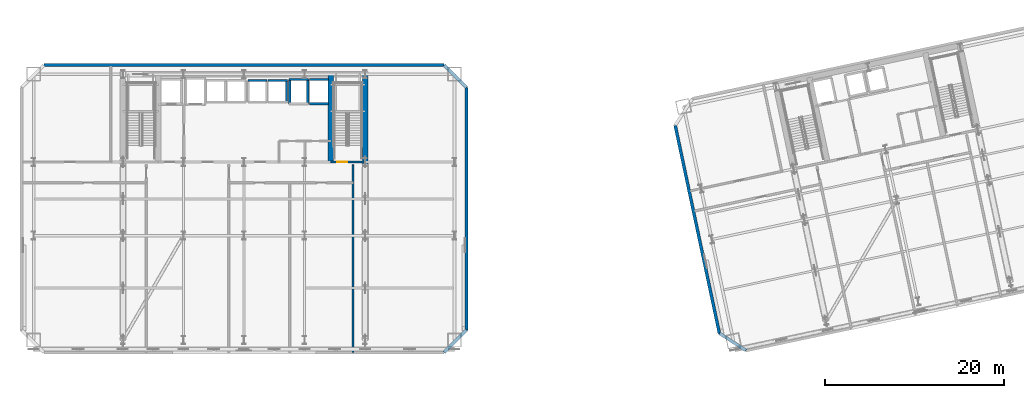
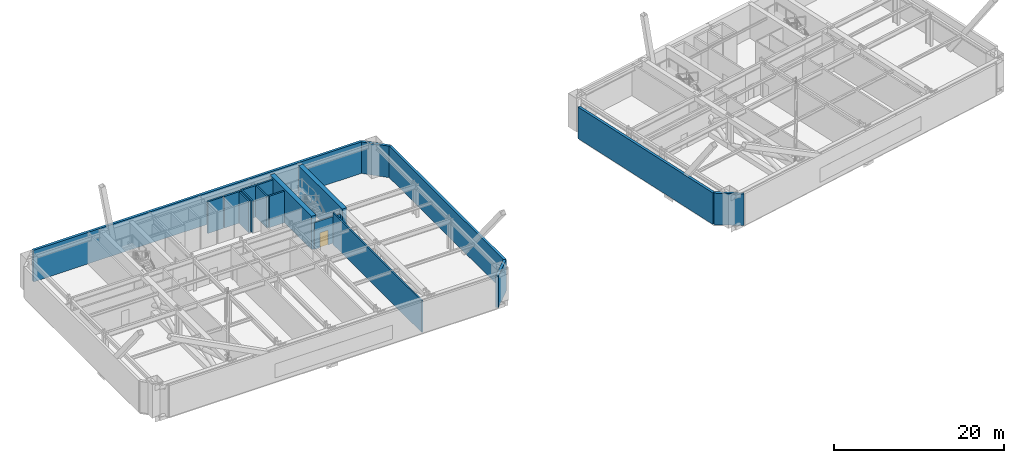
# One storey, part 9 of 17: 18 walls, 1 door, 1 opening.
"""IFC4 building model written with IfcOpenShell, lengths in metres."""

from ifc_helpers import new_model, si_unit, direction, frame, frame_2d, origin, place, context, subcontext, project, spatial, rectangle, extrude, material, layer, layer_set, type_object, element, fill, save


model = new_model("IFC4")

# Units and contexts
model_context = context("Model", 3, precision=1e-05, world=origin(), true_north=direction((0.0, 1.0)))
body_context = subcontext(model_context, "Body", "Model", "MODEL_VIEW")
ifc_project = project(units=[si_unit("LENGTHUNIT", "METRE"), si_unit("AREAUNIT", "SQUARE_METRE"), si_unit("VOLUMEUNIT", "CUBIC_METRE"), si_unit("PLANEANGLEUNIT", "RADIAN"), si_unit("MASSUNIT", "GRAM", prefix="KILO")], contexts=[model_context])

# Site, building, storey
site_placement = place(None, origin())
site = spatial("IfcSite", under=ifc_project, at=site_placement, CompositionType="ELEMENT")
building_placement = place(site_placement, origin())
building = spatial("IfcBuilding", under=site, at=building_placement, Name="Haevon Station Towers", CompositionType="ELEMENT")
storey_placement = place(building_placement, frame((0.0, 0.0, 81.89990234375)))
storey = spatial("IfcBuildingStorey", under=building, at=storey_placement, Name="L21", CompositionType="ELEMENT", Elevation=81.89990234375)

# Wall, opening, door
ifc_material_1 = material(Name="Gypsum board on steel stud", Category="steel")
ifc_layer_1 = layer(ifc_material_1, 0.199951171875)
ifc_layer_set_1 = layer_set([ifc_layer_1], Name="Gypsum board on steel stud")
wall_type_1 = type_object("IfcWallType", Name="WL-COR200", PredefinedType="PARTITIONING", material=ifc_layer_set_1)
wall_1_placement = place(storey_placement, frame((47.14990234375, 38.199951171875, 0.0), z_axis=(0.0, 0.0, 1.0), x_axis=(1.0, 0.0, 0.0)))
wall_1 = element("IfcWall", 1, at=wall_1_placement, inside=storey, type_object=wall_type_1, Name="WL-ST-ST2-L21", PredefinedType="PARTITIONING", context=body_context, shape_type="SweptSolid", body=[
    extrude(rectangle(XDim=3.85009765625, YDim=0.199951171875, at=frame_2d((1.925048828125, 0.0))), origin(), (0.0, 0.0, 1.0), 3.830078125),
])
opening_placement = place(wall_1_placement, frame((0.75, 0.0, 0.0)))
opening = element("IfcOpeningElement", 2, at=opening_placement, cuts=wall_1, Name="Opening DR-ST-ST2-L21", PredefinedType="OPENING", context=body_context, shape_type="SweptSolid", body=[
    extrude(rectangle(XDim=1.1201171875, YDim=2.10009765625, at=frame_2d((0.56005859375, 1.050048828125))), frame((0.0, 0.10986328125, 0.0), z_axis=(0.0, -1.0, 0.0), x_axis=(1.0, 0.0, 0.0)), (0.0, 0.0, 1.0), 0.219970703125),
])
ifc_material_2 = material(Name="Engineered oak timber", Category="wood")
door_type = type_object("IfcDoorType", Name="DR-ST-1120", OperationType="NOTDEFINED", PredefinedType="DOOR", material=ifc_material_2)
door_placement = place(opening_placement, origin())
door = element("IfcDoor", 3, at=door_placement, inside=storey, type_object=door_type, Name="L21 Escape Stair ST2 Fire Door", OperationType="SINGLE_SWING_RIGHT", OverallHeight=2.10009765625, OverallWidth=1.1201171875, PredefinedType="DOOR", context=body_context, shape_type="SweptSolid", body=[
    extrude(rectangle(XDim=1.1201171875, YDim=2.10009765625, at=frame_2d((0.56005859375, 1.050048828125))), frame((0.0, 0.02490234375, 0.0), z_axis=(0.0, -1.0, 0.0), x_axis=(1.0, 0.0, 0.0)), (0.0, 0.0, 1.0), 0.050048828125),
])
fill(opening, door)

# Walls
wall_2_placement = place(storey_placement, frame((49.64990234375, 17.0, 0.0), z_axis=(0.0, 0.0, 1.0), x_axis=(0.0, 1.0, 0.0)))
element("IfcWall", 4, at=wall_2_placement, inside=storey, type_object=wall_type_1, Name="WL-T1PT-L21-08", PredefinedType="PARTITIONING", context=body_context, shape_type="SweptSolid", body=[
    extrude(rectangle(XDim=20.89990234375, YDim=0.199951171875, at=frame_2d((10.449951171875, 0.0))), origin(), (0.0, 0.0, 1.0), 4.530029296875),
])
ifc_material_3 = material(Name="Concrete C60/75", Category="concrete")
ifc_layer_2 = layer(ifc_material_3, 0.60009765625)
ifc_layer_set_2 = layer_set([ifc_layer_2], Name="Concrete C60/75")
wall_type_2 = type_object("IfcWallType", Name="WL-CR600", PredefinedType="SHEAR", material=ifc_layer_set_2)
wall_3_placement = place(storey_placement, frame((51.0, 37.679931640625, 0.0), z_axis=(0.0, 0.0, 1.0), x_axis=(0.0, 1.0, 0.0)))
element("IfcWall", 5, at=wall_3_placement, inside=storey, type_object=wall_type_2, Name="WL-T1CR-L21-E", PredefinedType="SHEAR", context=body_context, shape_type="SweptSolid", body=[
    extrude(rectangle(XDim=10.320068359375, YDim=0.60009765625, at=frame_2d((5.16015625, 0.0))), origin(), (0.0, 0.0, 1.0), 4.800048828125),
])
wall_4_placement = place(storey_placement, frame((47.14990234375, 38.199951171875, 0.0), z_axis=(0.0, 0.0, 1.0), x_axis=(0.0, 1.0, 0.0)))
element("IfcWall", 6, at=wall_4_placement, inside=storey, type_object=wall_type_2, Name="WL-T1CR-L21-M2", PredefinedType="SHEAR", context=body_context, shape_type="SweptSolid", body=[
    extrude(rectangle(XDim=9.800048828125, YDim=0.60009765625, at=frame_2d((4.89990234375, 0.0))), origin(), (0.0, 0.0, 1.0), 4.800048828125),
])
ifc_material_4 = material(Name="Precast concrete C45/55", Category="concrete")
ifc_layer_3 = layer(ifc_material_4, 0.340087890625)
ifc_layer_set_3 = layer_set([ifc_layer_3], Name="Precast concrete C45/55")
wall_type_3 = type_object("IfcWallType", Name="WL-EXT-PIER340", PredefinedType="SOLIDWALL", material=ifc_layer_set_3)
wall_5_placement = place(storey_placement, frame((15.199951171875, 49.0, 0.0), z_axis=(0.0, 0.0, 1.0), x_axis=(1.0, 0.0, 0.0)))
element("IfcWall", 7, at=wall_5_placement, inside=storey, type_object=wall_type_3, Name="WL-T1-L21-N", PredefinedType="SOLIDWALL", context=body_context, shape_type="SweptSolid", body=[
    extrude(rectangle(XDim=44.60009765625, YDim=0.340087890625, at=frame_2d((22.300048828125, 0.0))), origin(), (0.0, 0.0, 1.0), 4.530029296875),
])
wall_6_placement = place(storey_placement, frame((59.800048828125, 49.0, 0.0), z_axis=(0.0, 0.0, 1.0), x_axis=(0.707106781187, -0.707106781187, 0.0)))
element("IfcWall", 8, at=wall_6_placement, inside=storey, type_object=wall_type_3, Name="WL-T1-L21-NEC", PredefinedType="SOLIDWALL", context=body_context, shape_type="SweptSolid", body=[
    extrude(rectangle(XDim=3.53564453125, YDim=0.340087890625, at=frame_2d((1.767822265625, 0.0))), origin(), (0.0, 0.0, 1.0), 4.530029296875),
])
wall_7_placement = place(storey_placement, frame((62.300048828125, 46.5, 0.0), z_axis=(0.0, 0.0, 1.0), x_axis=(0.0, -1.0, 0.0)))
element("IfcWall", 9, at=wall_7_placement, inside=storey, type_object=wall_type_3, Name="WL-T1-L21-E", PredefinedType="SOLIDWALL", context=body_context, shape_type="SweptSolid", body=[
    extrude(rectangle(XDim=27.0, YDim=0.340087890625, at=frame_2d((13.5, 0.0))), origin(), (0.0, 0.0, 1.0), 4.530029296875),
])
for number, where, z_axis, x_axis, name in (
    (10, (62.300048828125, 19.5, 0.0), (0.0, 0.0, 1.0), (-0.707106781187, -0.707106781187, 0.0), "WL-T1-L21-SEC"),
    (11, (93.44580078125, 17.19677734375, 0.0), (0.0, 0.0, 1.0), (-0.838692791597, 0.544604812064, 0.0), "WL-T2-L21-SWC"),
):
    element("IfcWall", number, at=place(storey_placement, frame(where, z_axis=z_axis, x_axis=x_axis)), inside=storey, type_object=wall_type_3, Name=name, PredefinedType="SOLIDWALL", context=body_context, shape_type="SweptSolid", body=[
        extrude(rectangle(XDim=3.53564453125, YDim=0.340087890625, at=frame_2d((1.767822265625, 0.0))), origin(), (0.0, 0.0, 1.0), 4.530029296875),
    ])
wall_8_placement = place(storey_placement, frame((90.48046875, 19.122314453125, 0.0), z_axis=(0.0, 0.0, 1.0), x_axis=(-0.20791074704, 0.978147801339, 0.0)))
element("IfcWall", 12, at=wall_8_placement, inside=storey, type_object=wall_type_3, Name="WL-T2-L21-W", PredefinedType="SOLIDWALL", context=body_context, shape_type="SweptSolid", body=[
    extrude(rectangle(XDim=23.699951171875, YDim=0.340087890625, at=frame_2d((11.85009765625, 0.0))), origin(), (0.0, 0.0, 1.0), 4.530029296875),
])
ifc_material_5 = material(Name="Concrete C40/50", Category="concrete")
ifc_layer_4 = layer(ifc_material_5, 0.239990234375)
ifc_layer_set_4 = layer_set([ifc_layer_4], Name="Concrete C40/50")
wall_type_4 = type_object("IfcWallType", Name="WL-SHF240", PredefinedType="PARTITIONING", material=ifc_layer_set_4)
for number, where, z_axis, x_axis, name in (
    (13, (37.919921875, 47.300048828125, 0.0), (0.0, 0.0, 1.0), (1.0, 0.0, 0.0), "WL-SHF-PL3-L21-N"),
    (14, (40.169921875, 47.300048828125, 0.0), (0.0, 0.0, 1.0), (1.0, 0.0, 0.0), "WL-SHF-PL4-L21-N"),
):
    element("IfcWall", number, at=place(storey_placement, frame(where, z_axis=z_axis, x_axis=x_axis)), inside=storey, type_object=wall_type_4, Name=name, PredefinedType="PARTITIONING", context=body_context, shape_type="SweptSolid", body=[
        extrude(rectangle(XDim=2.16015625, YDim=0.239990234375, at=frame_2d((1.080078125, 0.0))), origin(), (0.0, 0.0, 1.0), 4.530029296875),
    ])
wall_9_placement = place(storey_placement, frame((42.25, 44.89990234375, 0.0), z_axis=(0.0, 0.0, 1.0), x_axis=(0.0, 1.0, 0.0)))
element("IfcWall", 15, at=wall_9_placement, inside=storey, type_object=wall_type_4, Name="WL-SHF-PL4-L21-E", PredefinedType="PARTITIONING", context=body_context, shape_type="SweptSolid", body=[
    extrude(rectangle(XDim=2.400146484375, YDim=0.239990234375, at=frame_2d((1.2001953125, 0.0))), origin(), (0.0, 0.0, 1.0), 4.530029296875),
])
wall_10_placement = place(storey_placement, frame((42.52001953125, 47.39990234375, 0.0), z_axis=(0.0, 0.0, 1.0), x_axis=(1.0, 0.0, 0.0)))
element("IfcWall", 16, at=wall_10_placement, inside=storey, type_object=wall_type_4, Name="WL-SHF-PL5-L21-N", PredefinedType="PARTITIONING", context=body_context, shape_type="SweptSolid", body=[
    extrude(rectangle(XDim=2.159912109375, YDim=0.239990234375, at=frame_2d((1.080078125, 0.0))), origin(), (0.0, 0.0, 1.0), 4.530029296875),
])
for number, where, z_axis, x_axis, name in (
    (17, (42.60009765625, 44.699951171875, 0.0), (0.0, 0.0, 1.0), (0.0, 1.0, 0.0), "WL-SHF-PL5-L21-W"),
    (18, (44.60009765625, 44.699951171875, 0.0), (0.0, 0.0, 1.0), (0.0, 1.0, 0.0), "WL-SHF-PL5-L21-E"),
):
    element("IfcWall", number, at=place(storey_placement, frame(where, z_axis=z_axis, x_axis=x_axis)), inside=storey, type_object=wall_type_4, Name=name, PredefinedType="PARTITIONING", context=body_context, shape_type="SweptSolid", body=[
        extrude(rectangle(XDim=2.699951171875, YDim=0.239990234375, at=frame_2d((1.35009765625, 0.0))), origin(), (0.0, 0.0, 1.0), 4.530029296875),
    ])
for number, where, z_axis, x_axis, name in (
    (19, (44.77001953125, 44.699951171875, 0.0), (0.0, 0.0, 1.0), (1.0, 0.0, 0.0), "WL-SHF-PL6-L21"),
    (20, (44.77001953125, 47.39990234375, 0.0), (0.0, 0.0, 1.0), (1.0, 0.0, 0.0), "WL-SHF-PL6-L21-N"),
):
    element("IfcWall", number, at=place(storey_placement, frame(where, z_axis=z_axis, x_axis=x_axis)), inside=storey, type_object=wall_type_4, Name=name, PredefinedType="PARTITIONING", context=body_context, shape_type="SweptSolid", body=[
        extrude(rectangle(XDim=2.159912109375, YDim=0.239990234375, at=frame_2d((1.080078125, 0.0))), origin(), (0.0, 0.0, 1.0), 4.530029296875),
    ])

save(model, "model.ifc")
